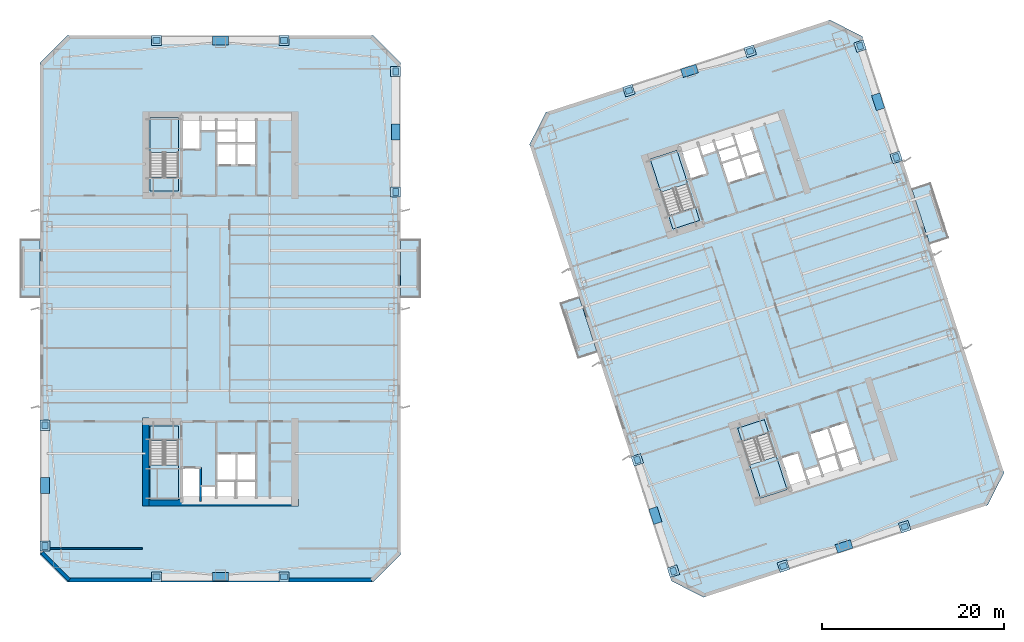
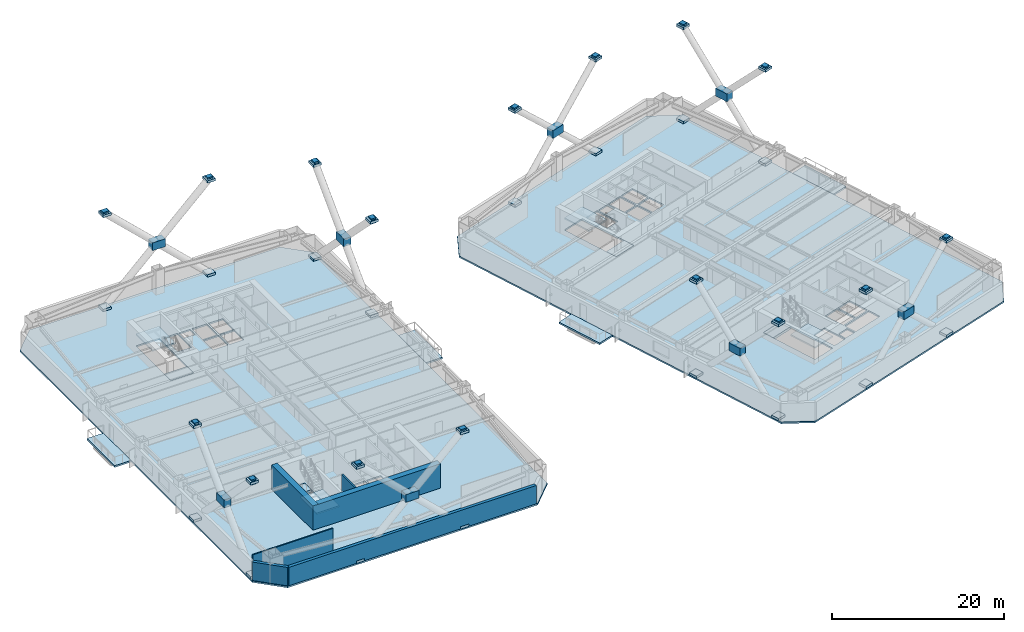
# One storey, part 3 of 18: 56 plates, 14 slabs, 6 walls, 4 elements without a shape of their own.
"""IFC4 building model written with IfcOpenShell, lengths in metres."""

from ifc_helpers import new_model, si_unit, direction, frame, frame_2d, origin, origin_2d, place, context, subcontext, project, spatial, polyline, rectangle, outline, extrude, material, layer, layer_set, type_object, element, aggregate, save


model = new_model("IFC4")

# Units and contexts
model_context = context("Model", 3, precision=1e-05, world=origin(), true_north=direction((0.0, 1.0)))
body_context = subcontext(model_context, "Body", "Model", "MODEL_VIEW")
ifc_project = project(units=[si_unit("LENGTHUNIT", "METRE"), si_unit("AREAUNIT", "SQUARE_METRE"), si_unit("VOLUMEUNIT", "CUBIC_METRE"), si_unit("PLANEANGLEUNIT", "RADIAN"), si_unit("MASSUNIT", "GRAM", prefix="KILO")], contexts=[model_context])

# Site, building, storey
site_placement = place(None, origin())
site = spatial("IfcSite", under=ifc_project, at=site_placement, CompositionType="ELEMENT")
building_placement = place(site_placement, origin())
building = spatial("IfcBuilding", under=site, at=building_placement, Name="Qiaolan Cultural Towers", CompositionType="ELEMENT")
storey_placement = place(building_placement, frame((0.0, 0.0, 57.5)))
storey = spatial("IfcBuildingStorey", under=building, at=storey_placement, Name="L13", CompositionType="ELEMENT", Elevation=57.5)

# Plates
ifc_material_1 = material(Name="Steel Q355B", Category="steel")
ifc_layer_1 = layer(ifc_material_1, 0.035888671875)
ifc_layer_set_1 = layer_set([ifc_layer_1], Name="Steel Q355B")
plate_type_1 = type_object("IfcPlateType", Name="PL-CONN-36", PredefinedType="USERDEFINED", material=ifc_layer_set_1)
for number, where, z_axis, x_axis, name in (
    (1, (10.75, 21.199951171875, 13.1298828125), (0.0, 0.0, 1.0), (0.0, 1.0, 0.0), "L13 Brace End Connection Gusset Plate GP-02-0220"),
    (2, (10.75, 7.949951171875, 13.1298828125), (0.0, 0.0, 1.0), (0.0, 1.0, 0.0), "L13 Brace End Connection Gusset Plate GP-02-0221"),
    (3, (49.25, 60.050048828125, 13.1298828125), (0.0, 0.0, 1.0), (0.0, 1.0, 0.0), "L13 Brace End Connection Gusset Plate GP-02-0222"),
    (4, (49.25, 46.800048828125, 13.1298828125), (0.0, 0.0, 1.0), (0.0, 1.0, 0.0), "L13 Brace End Connection Gusset Plate GP-02-0223"),
    (5, (37.0, 4.550048828125, 13.1298828125), (0.0, 0.0, 1.0), (1.0, 0.0, 0.0), "L13 Brace End Connection Gusset Plate GP-02-0224"),
    (6, (23.0, 4.550048828125, 13.1298828125), (0.0, 0.0, 1.0), (1.0, 0.0, 0.0), "L13 Brace End Connection Gusset Plate GP-02-0225"),
    (7, (37.0, 63.449951171875, 13.1298828125), (0.0, 0.0, 1.0), (1.0, 0.0, 0.0), "L13 Brace End Connection Gusset Plate GP-02-0226"),
    (8, (23.0, 63.449951171875, 13.1298828125), (0.0, 0.0, 1.0), (1.0, 0.0, 0.0), "L13 Brace End Connection Gusset Plate GP-02-0227"),
    (9, (75.78564453125, 17.394775390625, 13.1298828125), (0.0, 0.0, 1.0), (-0.309016977776, 0.951056521689, 0.0), "L13 Brace End Connection Gusset Plate GP-02-0444"),
    (10, (79.75634765625, 5.173828125, 13.1298828125), (0.0, 0.0, 1.0), (-0.309016977776, 0.951056521689, 0.0), "L13 Brace End Connection Gusset Plate GP-02-0445"),
    (11, (100.24365234375, 62.826171875, 13.1298828125), (0.0, 0.0, 1.0), (-0.309016977776, 0.951056521689, 0.0), "L13 Brace End Connection Gusset Plate GP-02-0446"),
    (12, (104.21435546875, 50.605224609375, 13.1298828125), (0.0, 0.0, 1.0), (-0.309016977776, 0.951056521689, 0.0), "L13 Brace End Connection Gusset Plate GP-02-0447"),
    (13, (105.139892578125, 10.056640625, 13.1298828125), (0.0, 0.0, 1.0), (0.951056510902, 0.309017010974, 0.0), "L13 Brace End Connection Gusset Plate GP-02-0448"),
    (14, (91.8251953125, 5.73046875, 13.1298828125), (0.0, 0.0, 1.0), (0.951056510902, 0.309017010974, 0.0), "L13 Brace End Connection Gusset Plate GP-02-0449"),
    (15, (88.1748046875, 62.26953125, 13.1298828125), (0.0, 0.0, 1.0), (0.951056510902, 0.309017010974, 0.0), "L13 Brace End Connection Gusset Plate GP-02-0450"),
    (16, (74.860107421875, 57.943359375, 13.1298828125), (0.0, 0.0, 1.0), (0.951056510902, 0.309017010974, 0.0), "L13 Brace End Connection Gusset Plate GP-02-0451"),
):
    element("IfcPlate", number, at=place(storey_placement, frame(where, z_axis=z_axis, x_axis=x_axis)), inside=storey, type_object=plate_type_1, Name=name, ObjectType="GUSSET_PLATE", PredefinedType="USERDEFINED", context=body_context, shape_type="SweptSolid", body=[
        extrude(rectangle(XDim=0.739990234375, YDim=0.6201171875, at=origin_2d()), origin(), (0.0, 0.0, 1.0), 0.739990234375),
    ])
ifc_material_2 = material(Name="Steel Q355B", Category="steel")
ifc_layer_2 = layer(ifc_material_2, 0.030029296875)
ifc_layer_set_2 = layer_set([ifc_layer_2], Name="Steel Q355B")
plate_type_2 = type_object("IfcPlateType", Name="PL-ENDCAP-30", PredefinedType="USERDEFINED", material=ifc_layer_set_2)
for number, where, z_axis, x_axis, name in (
    (17, (10.75, 7.949951171875, -0.025146484375), (0.0, 0.0, 1.0), (0.0, 1.0, 0.0), "Hollow Brace End Seal Cap Plate CP-01"),
    (18, (10.75, 21.199951171875, -0.025146484375), (0.0, 0.0, 1.0), (0.0, 1.0, 0.0), "Hollow Brace End Seal Cap Plate CP-01"),
    (19, (10.75, 7.949951171875, 13.324951171875), (0.0, 0.0, 1.0), (0.0, 1.0, 0.0), "Hollow Brace End Seal Cap Plate CP-01"),
    (20, (10.75, 21.199951171875, 13.324951171875), (0.0, 0.0, 1.0), (0.0, 1.0, 0.0), "Hollow Brace End Seal Cap Plate CP-01"),
    (21, (49.25, 46.800048828125, -0.025146484375), (0.0, 0.0, 1.0), (0.0, 1.0, 0.0), "Hollow Brace End Seal Cap Plate CP-01"),
    (22, (49.25, 60.050048828125, -0.025146484375), (0.0, 0.0, 1.0), (0.0, 1.0, 0.0), "Hollow Brace End Seal Cap Plate CP-01"),
    (23, (49.25, 46.800048828125, 13.324951171875), (0.0, 0.0, 1.0), (0.0, 1.0, 0.0), "Hollow Brace End Seal Cap Plate CP-01"),
    (24, (49.25, 60.050048828125, 13.324951171875), (0.0, 0.0, 1.0), (0.0, 1.0, 0.0), "Hollow Brace End Seal Cap Plate CP-01"),
    (25, (23.0, 4.550048828125, -0.025146484375), (0.0, 0.0, 1.0), (1.0, 0.0, 0.0), "Hollow Brace End Seal Cap Plate CP-01"),
    (26, (37.0, 4.550048828125, -0.025146484375), (0.0, 0.0, 1.0), (1.0, 0.0, 0.0), "Hollow Brace End Seal Cap Plate CP-01"),
    (27, (23.0, 4.550048828125, 13.324951171875), (0.0, 0.0, 1.0), (1.0, 0.0, 0.0), "Hollow Brace End Seal Cap Plate CP-01"),
    (28, (37.0, 4.550048828125, 13.324951171875), (0.0, 0.0, 1.0), (1.0, 0.0, 0.0), "Hollow Brace End Seal Cap Plate CP-01"),
    (29, (23.0, 63.449951171875, -0.025146484375), (0.0, 0.0, 1.0), (1.0, 0.0, 0.0), "Hollow Brace End Seal Cap Plate CP-01"),
    (30, (37.0, 63.449951171875, -0.025146484375), (0.0, 0.0, 1.0), (1.0, 0.0, 0.0), "Hollow Brace End Seal Cap Plate CP-01"),
    (31, (23.0, 63.449951171875, 13.324951171875), (0.0, 0.0, 1.0), (1.0, 0.0, 0.0), "Hollow Brace End Seal Cap Plate CP-01"),
    (32, (37.0, 63.449951171875, 13.324951171875), (0.0, 0.0, 1.0), (1.0, 0.0, 0.0), "Hollow Brace End Seal Cap Plate CP-01"),
    (33, (79.75634765625, 5.173828125, -0.025146484375), (0.0, 0.0, 1.0), (-0.309016994375, 0.951056516295, 0.0), "Hollow Brace End Seal Cap Plate CP-01"),
    (34, (75.78564453125, 17.394775390625, -0.025146484375), (0.0, 0.0, 1.0), (-0.309016994375, 0.951056516295, 0.0), "Hollow Brace End Seal Cap Plate CP-01"),
    (35, (79.75634765625, 5.173828125, 13.324951171875), (0.0, 0.0, 1.0), (-0.309016994375, 0.951056516295, 0.0), "Hollow Brace End Seal Cap Plate CP-01"),
    (36, (75.78564453125, 17.394775390625, 13.324951171875), (0.0, 0.0, 1.0), (-0.309016994375, 0.951056516295, 0.0), "Hollow Brace End Seal Cap Plate CP-01"),
    (37, (104.21435546875, 50.605224609375, -0.025146484375), (0.0, 0.0, 1.0), (-0.309016994375, 0.951056516295, 0.0), "Hollow Brace End Seal Cap Plate CP-01"),
    (38, (100.24365234375, 62.826171875, -0.025146484375), (0.0, 0.0, 1.0), (-0.309016994375, 0.951056516295, 0.0), "Hollow Brace End Seal Cap Plate CP-01"),
    (39, (104.21435546875, 50.605224609375, 13.324951171875), (0.0, 0.0, 1.0), (-0.309016994375, 0.951056516295, 0.0), "Hollow Brace End Seal Cap Plate CP-01"),
    (40, (100.24365234375, 62.826171875, 13.324951171875), (0.0, 0.0, 1.0), (-0.309016994375, 0.951056516295, 0.0), "Hollow Brace End Seal Cap Plate CP-01"),
    (41, (91.8251953125, 5.73046875, -0.025146484375), (0.0, 0.0, 1.0), (0.951056516295, 0.309016994375, 0.0), "Hollow Brace End Seal Cap Plate CP-01"),
    (42, (105.139892578125, 10.056640625, -0.025146484375), (0.0, 0.0, 1.0), (0.951056516295, 0.309016994375, 0.0), "Hollow Brace End Seal Cap Plate CP-01"),
    (43, (91.8251953125, 5.73046875, 13.324951171875), (0.0, 0.0, 1.0), (0.951056516295, 0.309016994375, 0.0), "Hollow Brace End Seal Cap Plate CP-01"),
    (44, (105.139892578125, 10.056640625, 13.324951171875), (0.0, 0.0, 1.0), (0.951056516295, 0.309016994375, 0.0), "Hollow Brace End Seal Cap Plate CP-01"),
    (45, (74.860107421875, 57.943359375, -0.025146484375), (0.0, 0.0, 1.0), (0.951056516295, 0.309016994375, 0.0), "Hollow Brace End Seal Cap Plate CP-01"),
    (46, (88.1748046875, 62.26953125, -0.025146484375), (0.0, 0.0, 1.0), (0.951056516295, 0.309016994375, 0.0), "Hollow Brace End Seal Cap Plate CP-01"),
    (47, (74.860107421875, 57.943359375, 13.324951171875), (0.0, 0.0, 1.0), (0.951056516295, 0.309016994375, 0.0), "Hollow Brace End Seal Cap Plate CP-01"),
    (48, (88.1748046875, 62.26953125, 13.324951171875), (0.0, 0.0, 1.0), (0.951056516295, 0.309016994375, 0.0), "Hollow Brace End Seal Cap Plate CP-01"),
):
    element("IfcPlate", number, at=place(storey_placement, frame(where, z_axis=z_axis, x_axis=x_axis)), inside=storey, type_object=plate_type_2, Name=name, ObjectType="BASE_PLATE", PredefinedType="USERDEFINED", context=body_context, shape_type="SweptSolid", body=[
        extrude(rectangle(XDim=1.10009765625, YDim=1.10009765625, at=origin_2d()), origin(), (0.0, 0.0, 1.0), 0.35009765625),
    ])
ifc_material_3 = material(Name="Steel Q390GJB", Category="steel")
ifc_layer_3 = layer(ifc_material_3, 0.0419921875)
ifc_layer_set_3 = layer_set([ifc_layer_3], Name="Steel Q390GJB")
plate_type_3 = type_object("IfcPlateType", Name="PL-NODE-ND01", PredefinedType="USERDEFINED", material=ifc_layer_set_3)
plate_1_placement = place(storey_placement, frame((30.0, 63.449951171875, 6.27490234375), z_axis=(0.0, 0.0, 1.0), x_axis=(1.0, 0.0, 0.0)))
element("IfcPlate", 49, at=plate_1_placement, inside=storey, type_object=plate_type_3, Name="Perimeter Frame Gusset Node Assembly ND-01", ObjectType="GUSSET_PLATE", PredefinedType="USERDEFINED", context=body_context, shape_type="SweptSolid", body=[
    extrude(rectangle(XDim=1.760009765625, YDim=0.9599609375, at=origin_2d()), origin(), (0.0, 0.0, 1.0), 1.10009765625),
])
ifc_material_4 = material(Name="Steel Q390GJB", Category="steel")
ifc_layer_4 = layer(ifc_material_4, 0.0439453125)
ifc_layer_set_4 = layer_set([ifc_layer_4], Name="Steel Q390GJB")
plate_type_4 = type_object("IfcPlateType", Name="PL-NODE-ND06", PredefinedType="USERDEFINED", material=ifc_layer_set_4)
plate_2_placement = place(storey_placement, frame((77.77099609375, 11.2841796875, 6.27490234375), z_axis=(0.0, 0.0, 1.0), x_axis=(-0.309016994375, 0.951056516295, 0.0)))
element("IfcPlate", 50, at=plate_2_placement, inside=storey, type_object=plate_type_4, Name="Perimeter Frame Gusset Node Assembly ND-06", ObjectType="GUSSET_PLATE", PredefinedType="USERDEFINED", context=body_context, shape_type="SweptSolid", body=[
    extrude(rectangle(XDim=1.760009765625, YDim=0.9599609375, at=origin_2d()), origin(), (0.0, 0.0, 1.0), 1.10009765625),
])
ifc_material_5 = material(Name="Steel Q390GJB", Category="steel")
ifc_layer_5 = layer(ifc_material_5, 0.0458984375)
ifc_layer_set_5 = layer_set([ifc_layer_5], Name="Steel Q390GJB")
plate_type_5 = type_object("IfcPlateType", Name="PL-NODE-ND07", PredefinedType="USERDEFINED", material=ifc_layer_set_5)
plate_3_placement = place(storey_placement, frame((102.22900390625, 56.7158203125, 6.27490234375), z_axis=(0.0, 0.0, 1.0), x_axis=(-0.309016994375, 0.951056516295, 0.0)))
element("IfcPlate", 51, at=plate_3_placement, inside=storey, type_object=plate_type_5, Name="Perimeter Frame Gusset Node Assembly ND-07", ObjectType="GUSSET_PLATE", PredefinedType="USERDEFINED", context=body_context, shape_type="SweptSolid", body=[
    extrude(rectangle(XDim=1.760009765625, YDim=0.9599609375, at=origin_2d()), origin(), (0.0, 0.0, 1.0), 1.10009765625),
])
ifc_material_6 = material(Name="Steel Q390GJB", Category="steel")
ifc_layer_6 = layer(ifc_material_6, 0.0400390625)
ifc_layer_set_6 = layer_set([ifc_layer_6], Name="Steel Q390GJB")
plate_type_6 = type_object("IfcPlateType", Name="PL-NODE-ND08", PredefinedType="USERDEFINED", material=ifc_layer_set_6)
plate_4_placement = place(storey_placement, frame((98.482421875, 7.8935546875, 6.27490234375), z_axis=(0.0, 0.0, 1.0), x_axis=(0.951056516295, 0.309016994375, 0.0)))
element("IfcPlate", 52, at=plate_4_placement, inside=storey, type_object=plate_type_6, Name="Perimeter Frame Gusset Node Assembly ND-08", ObjectType="GUSSET_PLATE", PredefinedType="USERDEFINED", context=body_context, shape_type="SweptSolid", body=[
    extrude(rectangle(XDim=1.760009765625, YDim=0.9599609375, at=origin_2d()), origin(), (0.0, 0.0, 1.0), 1.10009765625),
])
ifc_material_7 = material(Name="Steel Q390GJB", Category="steel")
ifc_layer_7 = layer(ifc_material_7, 0.0419921875)
ifc_layer_set_7 = layer_set([ifc_layer_7], Name="Steel Q390GJB")
plate_type_7 = type_object("IfcPlateType", Name="PL-NODE-ND09", PredefinedType="USERDEFINED", material=ifc_layer_set_7)
plate_5_placement = place(storey_placement, frame((81.517578125, 60.1064453125, 6.27490234375), z_axis=(0.0, 0.0, 1.0), x_axis=(0.951056516295, 0.309016994375, 0.0)))
element("IfcPlate", 53, at=plate_5_placement, inside=storey, type_object=plate_type_7, Name="Perimeter Frame Gusset Node Assembly ND-09", ObjectType="GUSSET_PLATE", PredefinedType="USERDEFINED", context=body_context, shape_type="SweptSolid", body=[
    extrude(rectangle(XDim=1.760009765625, YDim=0.9599609375, at=origin_2d()), origin(), (0.0, 0.0, 1.0), 1.10009765625),
])
ifc_material_8 = material(Name="Steel Q390GJB", Category="steel")
ifc_layer_8 = layer(ifc_material_8, 0.0439453125)
ifc_layer_set_8 = layer_set([ifc_layer_8], Name="Steel Q390GJB")
plate_type_8 = type_object("IfcPlateType", Name="PL-NODE-ND10", PredefinedType="USERDEFINED", material=ifc_layer_set_8)
plate_6_placement = place(storey_placement, frame((10.75, 14.574951171875, 6.27490234375), z_axis=(0.0, 0.0, 1.0), x_axis=(0.0, 1.0, 0.0)))
element("IfcPlate", 54, at=plate_6_placement, inside=storey, type_object=plate_type_8, Name="Perimeter Frame Gusset Node Assembly ND-10", ObjectType="GUSSET_PLATE", PredefinedType="USERDEFINED", context=body_context, shape_type="SweptSolid", body=[
    extrude(rectangle(XDim=1.760009765625, YDim=0.9599609375, at=origin_2d()), origin(), (0.0, 0.0, 1.0), 1.10009765625),
])
ifc_material_9 = material(Name="Steel Q390GJB", Category="steel")
ifc_layer_9 = layer(ifc_material_9, 0.0458984375)
ifc_layer_set_9 = layer_set([ifc_layer_9], Name="Steel Q390GJB")
plate_type_9 = type_object("IfcPlateType", Name="PL-NODE-ND11", PredefinedType="USERDEFINED", material=ifc_layer_set_9)
plate_7_placement = place(storey_placement, frame((49.25, 53.425048828125, 6.27490234375), z_axis=(0.0, 0.0, 1.0), x_axis=(0.0, 1.0, 0.0)))
element("IfcPlate", 55, at=plate_7_placement, inside=storey, type_object=plate_type_9, Name="Perimeter Frame Gusset Node Assembly ND-11", ObjectType="GUSSET_PLATE", PredefinedType="USERDEFINED", context=body_context, shape_type="SweptSolid", body=[
    extrude(rectangle(XDim=1.760009765625, YDim=0.9599609375, at=origin_2d()), origin(), (0.0, 0.0, 1.0), 1.10009765625),
])
ifc_material_10 = material(Name="Steel Q390GJB", Category="steel")
ifc_layer_10 = layer(ifc_material_10, 0.0400390625)
ifc_layer_set_10 = layer_set([ifc_layer_10], Name="Steel Q390GJB")
plate_type_10 = type_object("IfcPlateType", Name="PL-NODE-ND12", PredefinedType="USERDEFINED", material=ifc_layer_set_10)
plate_8_placement = place(storey_placement, frame((30.0, 4.550048828125, 6.27490234375), z_axis=(0.0, 0.0, 1.0), x_axis=(1.0, 0.0, 0.0)))
element("IfcPlate", 56, at=plate_8_placement, inside=storey, type_object=plate_type_10, Name="Perimeter Frame Gusset Node Assembly ND-12", ObjectType="GUSSET_PLATE", PredefinedType="USERDEFINED", context=body_context, shape_type="SweptSolid", body=[
    extrude(rectangle(XDim=1.760009765625, YDim=0.9599609375, at=origin_2d()), origin(), (0.0, 0.0, 1.0), 1.10009765625),
])

# Slabs
ifc_material_11 = material(Name="Concrete C45", Category="concrete")
ifc_layer_11 = layer(ifc_material_11, 0.239990234375)
ifc_layer_set_11 = layer_set([ifc_layer_11], Name="Concrete C45")
slab_type_1 = type_object("IfcSlabType", Name="SL-BAL-240", PredefinedType="FLOOR", material=ifc_layer_set_11)
slab_1_placement = place(storey_placement, frame((0.0, 0.0, -0.239990234375)))
element("IfcSlab", 57, at=slab_1_placement, inside=storey, type_object=slab_type_1, Name="L13 T1 Planted Tree Balcony W", PredefinedType="FLOOR", context=body_context, shape_type="SweptSolid", body=[
    extrude(outline(polyline([(8.0, 35.199951171875), (10.199951171875, 35.199951171875), (10.199951171875, 41.60009765625), (8.0, 41.60009765625), (8.0, 35.199951171875)])), origin(), (0.0, 0.0, 1.0), 0.239990234375),
])
slab_2_placement = place(storey_placement, frame((0.0, 0.0, -0.239990234375)))
element("IfcSlab", 58, at=slab_2_placement, inside=storey, type_object=slab_type_1, Name="L13 T1 Planted Tree Balcony E", PredefinedType="FLOOR", context=body_context, shape_type="SweptSolid", body=[
    extrude(outline(polyline([(49.800048828125, 35.199951171875), (52.0, 35.199951171875), (52.0, 41.60009765625), (49.800048828125, 41.60009765625), (49.800048828125, 35.199951171875)])), origin(), (0.0, 0.0, 1.0), 0.239990234375),
])
slab_3_placement = place(storey_placement, frame((0.0, 0.0, -0.239990234375)))
element("IfcSlab", 59, at=slab_3_placement, inside=storey, type_object=slab_type_1, Name="L13 T2 Planted Tree Balcony W", PredefinedType="FLOOR", context=body_context, shape_type="SweptSolid", body=[
    extrude(outline(polyline([(69.276611328125, 28.5283203125), (71.368896484375, 29.208251953125), (69.39111328125, 35.294921875), (67.298828125, 34.614990234375), (69.276611328125, 28.5283203125)])), origin(), (0.0, 0.0, 1.0), 0.239990234375),
])
slab_4_placement = place(storey_placement, frame((0.0, 0.0, -0.239990234375)))
element("IfcSlab", 60, at=slab_4_placement, inside=storey, type_object=slab_type_1, Name="L13 T2 Planted Tree Balcony E", PredefinedType="FLOOR", context=body_context, shape_type="SweptSolid", body=[
    extrude(outline(polyline([(107.889404296875, 41.074462890625), (109.981689453125, 41.754150390625), (108.004150390625, 47.841064453125), (105.911865234375, 47.1611328125), (107.889404296875, 41.074462890625)])), origin(), (0.0, 0.0, 1.0), 0.239990234375),
])

# Stair, slab
ifc_material_12 = material(Name="Concrete C45", Category="concrete")
stair_type = type_object("IfcStairType", Name="STR-CORE-1500", PredefinedType="HALF_TURN_STAIR", material=ifc_material_12)
stair_1_placement = place(storey_placement, origin())
stair_1 = element("IfcStair", 61, at=stair_1_placement, inside=storey, type_object=stair_type, Name="L13 Smokeproof Exit Stair ST-W1", PredefinedType="HALF_TURN_STAIR")
ifc_material_13 = material(Name="Concrete C45", Category="concrete")
ifc_layer_12 = layer(ifc_material_13, 0.199951171875)
ifc_layer_set_12 = layer_set([ifc_layer_12], Name="Concrete C45")
slab_type_2 = type_object("IfcSlabType", Name="SL-STAIR-LAND", PredefinedType="LANDING", material=ifc_layer_set_12)
slab_5_placement = place(storey_placement, frame((0.0, 0.0, 1.52490234375)))
slab_5 = element("IfcSlab", 62, at=slab_5_placement, type_object=slab_type_2, Name="ST-W1 landing 1", PredefinedType="LANDING", context=body_context, shape_type="SweptSolid", body=[
    extrude(outline(polyline([(22.300048828125, 16.851318359375), (22.300048828125, 13.0), (25.3798828125, 13.0), (25.3798828125, 16.851318359375), (22.300048828125, 16.851318359375)])), origin(), (0.0, 0.0, 1.0), 0.2001953125),
])
aggregate(stair_1, [slab_5])

stair_2_placement = place(storey_placement, origin())
stair_2 = element("IfcStair", 63, at=stair_2_placement, inside=storey, type_object=stair_type, Name="L13 Smokeproof Exit Stair ST-W2", PredefinedType="HALF_TURN_STAIR")
slab_6_placement = place(storey_placement, frame((0.0, 0.0, 1.52490234375)))
slab_6 = element("IfcSlab", 64, at=slab_6_placement, type_object=slab_type_2, Name="ST-W2 landing 1", PredefinedType="LANDING", context=body_context, shape_type="SweptSolid", body=[
    extrude(outline(polyline([(25.3798828125, 51.148681640625), (25.3798828125, 55.0), (22.300048828125, 55.0), (22.300048828125, 51.148681640625), (25.3798828125, 51.148681640625)])), origin(), (0.0, 0.0, 1.0), 0.2001953125),
])
aggregate(stair_2, [slab_6])

stair_3_placement = place(storey_placement, origin())
stair_3 = element("IfcStair", 65, at=stair_3_placement, inside=storey, type_object=stair_type, Name="L13 Smokeproof Exit Stair ST-E1", PredefinedType="HALF_TURN_STAIR")
slab_7_placement = place(storey_placement, frame((0.0, 0.0, 1.52490234375)))
slab_7 = element("IfcSlab", 66, at=slab_7_placement, type_object=slab_type_2, Name="ST-E1 landing 1", PredefinedType="LANDING", context=body_context, shape_type="SweptSolid", body=[
    extrude(outline(polyline([(88.114013671875, 16.828125), (89.30419921875, 13.165283203125), (92.2333984375, 14.116943359375), (91.04345703125, 17.77978515625), (88.114013671875, 16.828125)])), origin(), (0.0, 0.0, 1.0), 0.2001953125),
])
aggregate(stair_3, [slab_7])

stair_4_placement = place(storey_placement, origin())
stair_4 = element("IfcStair", 67, at=stair_4_placement, inside=storey, type_object=stair_type, Name="L13 Smokeproof Exit Stair ST-E2", PredefinedType="HALF_TURN_STAIR")
slab_8_placement = place(storey_placement, frame((0.0, 0.0, 1.52490234375)))
slab_8 = element("IfcSlab", 68, at=slab_8_placement, type_object=slab_type_2, Name="ST-E2 landing 1", PredefinedType="LANDING", context=body_context, shape_type="SweptSolid", body=[
    extrude(outline(polyline([(81.31005859375, 47.735595703125), (80.1201171875, 51.3984375), (77.190673828125, 50.44677734375), (78.380859375, 46.783935546875), (81.31005859375, 47.735595703125)])), origin(), (0.0, 0.0, 1.0), 0.2001953125),
])
aggregate(stair_4, [slab_8])

# Slabs
ifc_material_14 = material(Name="Concrete C40", Category="concrete")
ifc_layer_13 = layer(ifc_material_14, 0.360107421875)
ifc_layer_set_13 = layer_set([ifc_layer_13], Name="Concrete C40")
slab_type_3 = type_object("IfcSlabType", Name="SL-STFLR-360", PredefinedType="LANDING", material=ifc_layer_set_13)
slab_9_placement = place(storey_placement, frame((0.0, 0.0, -0.360107421875)))
element("IfcSlab", 69, at=slab_9_placement, inside=storey, type_object=slab_type_3, Name="L13 ST-W1 Stair Floor Landing Slab", PredefinedType="LANDING", context=body_context, shape_type="SweptSolid", body=[
    extrude(outline(polyline([(22.302001953125, 21.097900390625), (22.302001953125, 19.548583984375), (25.3779296875, 19.548583984375), (25.3779296875, 21.097900390625), (22.302001953125, 21.097900390625)])), origin(), (0.0, 0.0, 1.0), 0.360107421875),
])
slab_10_placement = place(storey_placement, frame((0.0, 0.0, -0.360107421875)))
element("IfcSlab", 70, at=slab_10_placement, inside=storey, type_object=slab_type_3, Name="L13 ST-W2 Stair Floor Landing Slab", PredefinedType="LANDING", context=body_context, shape_type="SweptSolid", body=[
    extrude(outline(polyline([(25.3779296875, 46.902099609375), (25.3779296875, 48.451416015625), (22.302001953125, 48.451416015625), (22.302001953125, 46.902099609375), (25.3779296875, 46.902099609375)])), origin(), (0.0, 0.0, 1.0), 0.360107421875),
])
slab_11_placement = place(storey_placement, frame((0.0, 0.0, -0.360107421875)))
element("IfcSlab", 71, at=slab_11_placement, inside=storey, type_object=slab_type_3, Name="L13 ST-E1 Stair Floor Landing Slab", PredefinedType="LANDING", context=body_context, shape_type="SweptSolid", body=[
    extrude(outline(polyline([(86.8037109375, 20.867431640625), (87.282470703125, 19.39404296875), (90.2080078125, 20.3447265625), (89.729248046875, 21.818115234375), (86.8037109375, 20.867431640625)])), origin(), (0.0, 0.0, 1.0), 0.360107421875),
])
slab_12_placement = place(storey_placement, frame((0.0, 0.0, -0.360107421875)))
element("IfcSlab", 72, at=slab_12_placement, inside=storey, type_object=slab_type_3, Name="L13 ST-E2 Stair Floor Landing Slab", PredefinedType="LANDING", context=body_context, shape_type="SweptSolid", body=[
    extrude(outline(polyline([(82.62060546875, 43.6962890625), (82.141845703125, 45.169677734375), (79.21630859375, 44.21923828125), (79.695068359375, 42.74560546875), (82.62060546875, 43.6962890625)])), origin(), (0.0, 0.0, 1.0), 0.360107421875),
])
ifc_material_15 = material(Name="Concrete C45", Category="concrete")
ifc_layer_14 = layer(ifc_material_15, 0.219970703125)
ifc_layer_set_14 = layer_set([ifc_layer_14], Name="Concrete C45")
slab_type_4 = type_object("IfcSlabType", Name="SL-TYP-220", PredefinedType="FLOOR", material=ifc_layer_set_14)
slab_13_placement = place(storey_placement, frame((0.0, 0.0, -0.219970703125)))
element("IfcSlab", 73, at=slab_13_placement, inside=storey, type_object=slab_type_4, Name="L13 West Tower Floor Slab", PredefinedType="FLOOR", context=body_context, shape_type="SweptSolid", body=[
    extrude(outline(polyline([(13.199951171875, 4.0), (46.800048828125, 4.0), (49.800048828125, 7.0), (49.800048828125, 61.0), (46.800048828125, 64.0), (13.199951171875, 64.0), (10.199951171875, 61.0), (10.199951171875, 7.0), (13.199951171875, 4.0)]), holes=[polyline([(22.300048828125, 21.10009765625), (22.300048828125, 13.0), (25.3798828125, 13.0), (25.3798828125, 21.10009765625), (22.300048828125, 21.10009765625)]), polyline([(25.3798828125, 46.89990234375), (25.3798828125, 55.0), (22.300048828125, 55.0), (22.300048828125, 46.89990234375), (25.3798828125, 46.89990234375)]), polyline([(25.89990234375, 13.199951171875), (27.75, 13.199951171875), (27.75, 16.449951171875), (25.89990234375, 16.449951171875), (25.89990234375, 13.199951171875)]), polyline([(27.93994140625, 13.25), (29.449951171875, 13.25), (29.449951171875, 14.419921875), (27.93994140625, 14.419921875), (27.93994140625, 13.25)]), polyline([(29.679931640625, 15.199951171875), (31.679931640625, 15.199951171875), (31.679931640625, 18.0), (29.679931640625, 18.0), (29.679931640625, 15.199951171875)]), polyline([(31.8798828125, 15.199951171875), (33.820068359375, 15.199951171875), (33.820068359375, 18.0), (31.8798828125, 18.0), (31.8798828125, 15.199951171875)]), polyline([(29.679931640625, 13.25), (33.820068359375, 13.25), (33.820068359375, 14.97998046875), (29.679931640625, 14.97998046875), (29.679931640625, 13.25)]), polyline([(25.89990234375, 51.550048828125), (27.75, 51.550048828125), (27.75, 54.800048828125), (25.89990234375, 54.800048828125), (25.89990234375, 51.550048828125)]), polyline([(27.93994140625, 53.580078125), (29.449951171875, 53.580078125), (29.449951171875, 54.75), (27.93994140625, 54.75), (27.93994140625, 53.580078125)]), polyline([(29.679931640625, 49.820068359375), (31.679931640625, 49.820068359375), (31.679931640625, 52.080078125), (29.679931640625, 52.080078125), (29.679931640625, 49.820068359375)]), polyline([(31.8798828125, 49.820068359375), (33.820068359375, 49.820068359375), (33.820068359375, 52.080078125), (31.8798828125, 52.080078125), (31.8798828125, 49.820068359375)]), polyline([(29.679931640625, 52.27001953125), (31.659912109375, 52.27001953125), (31.659912109375, 54.75), (29.679931640625, 54.75), (29.679931640625, 52.27001953125)]), polyline([(31.8798828125, 52.27001953125), (33.820068359375, 52.27001953125), (33.820068359375, 54.75), (31.8798828125, 54.75), (31.8798828125, 52.27001953125)])]), origin(), (0.0, 0.0, 1.0), 0.219970703125),
])
slab_14_placement = place(storey_placement, frame((0.0, 0.0, -0.219970703125)))
element("IfcSlab", 74, at=slab_14_placement, inside=storey, type_object=slab_type_4, Name="L13 East Tower Floor Slab", PredefinedType="FLOOR", context=body_context, shape_type="SweptSolid", body=[
    extrude(outline(polyline([(83.05517578125, 2.302490234375), (114.249755859375, 12.438232421875), (116.047607421875, 15.966552734375), (100.47314453125, 63.899658203125), (96.94482421875, 65.697509765625), (65.750244140625, 55.561767578125), (63.952392578125, 52.033447265625), (79.52685546875, 4.100341796875), (83.05517578125, 2.302490234375)]), holes=[polyline([(86.80126953125, 20.868896484375), (89.30419921875, 13.165283203125), (92.2333984375, 14.116943359375), (89.73046875, 21.820556640625), (86.80126953125, 20.868896484375)]), polyline([(82.623046875, 43.69482421875), (80.1201171875, 51.3984375), (77.190673828125, 50.44677734375), (79.69384765625, 42.7431640625), (82.623046875, 43.69482421875)]), polyline([(92.666259765625, 14.468017578125), (94.42578125, 15.03955078125), (93.42138671875, 18.130615234375), (91.661865234375, 17.558837890625), (92.666259765625, 14.468017578125)]), polyline([(94.5908203125, 15.14599609375), (96.027099609375, 15.612548828125), (95.66552734375, 16.725341796875), (94.2294921875, 16.258544921875), (94.5908203125, 15.14599609375)]), polyline([(95.643310546875, 17.5380859375), (97.54541015625, 18.15625), (96.68017578125, 20.819091796875), (94.77783203125, 20.201171875), (95.643310546875, 17.5380859375)]), polyline([(97.735595703125, 18.218017578125), (99.58056640625, 18.8173828125), (98.71533203125, 21.48046875), (96.870361328125, 20.880859375), (97.735595703125, 18.218017578125)]), polyline([(96.245849609375, 15.68359375), (100.18310546875, 16.962890625), (99.6484375, 18.608154296875), (95.711181640625, 17.328857421875), (96.245849609375, 15.68359375)]), polyline([(81.6806640625, 48.278076171875), (83.440185546875, 48.849609375), (82.435791015625, 51.940673828125), (80.67626953125, 51.368896484375), (81.6806640625, 48.278076171875)]), polyline([(82.993408203125, 50.839111328125), (84.4296875, 51.3056640625), (84.068115234375, 52.41845703125), (82.632080078125, 51.95166015625), (82.993408203125, 50.839111328125)]), polyline([(85.810302734375, 47.80078125), (87.71240234375, 48.418701171875), (87.013916015625, 50.568115234375), (85.11181640625, 49.9501953125), (85.810302734375, 47.80078125)]), polyline([(87.902587890625, 48.480712890625), (89.74755859375, 49.080078125), (89.04931640625, 51.2294921875), (87.2041015625, 50.6298828125), (87.902587890625, 48.480712890625)]), polyline([(85.05322265625, 50.130859375), (86.936279296875, 50.74267578125), (86.169921875, 53.101318359375), (84.286865234375, 52.489501953125), (85.05322265625, 50.130859375)]), polyline([(87.1455078125, 50.810791015625), (88.990478515625, 51.41015625), (88.22412109375, 53.768798828125), (86.379150390625, 53.169189453125), (87.1455078125, 50.810791015625)])]), origin(), (0.0, 0.0, 1.0), 0.219970703125),
])

# Walls
ifc_material_16 = material(Name="Concrete C60", Category="concrete")
ifc_layer_15 = layer(ifc_material_16, 0.75)
ifc_layer_set_15 = layer_set([ifc_layer_15], Name="Concrete C60")
wall_type_1 = type_object("IfcWallType", Name="WL-CORE-750", PredefinedType="SHEAR", material=ifc_layer_set_15)
wall_1_placement = place(storey_placement, frame((21.425048828125, 12.719970703125, 0.0), z_axis=(0.0, 0.0, 1.0), x_axis=(1.0, 0.0, 0.0)))
element("IfcWall", 75, at=wall_1_placement, inside=storey, type_object=wall_type_1, Name="L13 T1-CS Outer Core Shear Wall", PredefinedType="SHEAR", context=body_context, shape_type="SweptSolid", body=[
    extrude(rectangle(XDim=17.14990234375, YDim=0.75, at=frame_2d((8.574951171875, 0.0))), origin(), (0.0, 0.0, 1.0), 3.449951171875),
])
wall_2_placement = place(storey_placement, frame((21.800048828125, 21.97509765625, 0.0), z_axis=(0.0, 0.0, 1.0), x_axis=(0.0, -1.0, 0.0)))
element("IfcWall", 76, at=wall_2_placement, inside=storey, type_object=wall_type_1, Name="L13 T1-CS West Core Shear Wall", PredefinedType="SHEAR", context=body_context, shape_type="SweptSolid", body=[
    extrude(rectangle(XDim=9.630126953125, YDim=0.75, at=frame_2d((4.81494140625, 0.0))), origin(), (0.0, 0.0, 1.0), 3.449951171875),
])
ifc_material_17 = material(Name="Precast Concrete C50 Honed Stone Pier", Category="masonry")
ifc_layer_16 = layer(ifc_material_17, 0.39990234375)
ifc_layer_set_16 = layer_set([ifc_layer_16], Name="Precast Concrete C50 Honed Stone Pier")
wall_type_2 = type_object("IfcWallType", Name="WL-EXT-PIER-400", PredefinedType="SOLIDWALL", material=ifc_layer_set_16)
wall_3_placement = place(storey_placement, frame((46.60009765625, 4.199951171875, 0.0), z_axis=(0.0, 0.0, 1.0), x_axis=(-1.0, 0.0, 0.0)))
element("IfcWall", 77, at=wall_3_placement, inside=storey, type_object=wall_type_2, Name="L13 West Tower Precast Pier Facade Wall F7", PredefinedType="SOLIDWALL", context=body_context, shape_type="SweptSolid", body=[
    extrude(rectangle(XDim=33.2001953125, YDim=0.39990234375, at=frame_2d((16.60009765625, 0.0))), origin(), (0.0, 0.0, 1.0), 2.610107421875),
])
wall_4_placement = place(storey_placement, frame((13.39990234375, 4.199951171875, 0.0), z_axis=(0.0, 0.0, 1.0), x_axis=(-0.707106781187, 0.707106781187, 0.0)))
element("IfcWall", 78, at=wall_4_placement, inside=storey, type_object=wall_type_2, Name="L13 West Tower Precast Pier Facade Wall F8", PredefinedType="SOLIDWALL", context=body_context, shape_type="SweptSolid", body=[
    extrude(rectangle(XDim=4.24267578125, YDim=0.39990234375, at=frame_2d((2.121337890625, 0.0))), origin(), (0.0, 0.0, 1.0), 2.610107421875),
])
ifc_material_18 = material(Name="Concrete C35 Fire Wall", Category="concrete")
ifc_layer_17 = layer(ifc_material_18, 0.199951171875)
ifc_layer_set_17 = layer_set([ifc_layer_17], Name="Concrete C35 Fire Wall")
wall_type_3 = type_object("IfcWallType", Name="WL-FIRE-200", PredefinedType="PARTITIONING", material=ifc_layer_set_17)
wall_5_placement = place(storey_placement, frame((27.820068359375, 16.550048828125, 0.0), z_axis=(0.0, 0.0, 1.0), x_axis=(0.0, -1.0, 0.0)))
element("IfcWall", 79, at=wall_5_placement, inside=storey, type_object=wall_type_3, Name="L13 T1-CS Firefighting Hoistway East Wall", PredefinedType="PARTITIONING", context=body_context, shape_type="SweptSolid", body=[
    extrude(rectangle(XDim=3.699951171875, YDim=0.199951171875, at=frame_2d((1.85009765625, 0.0))), origin(), (0.0, 0.0, 1.0), 3.175048828125),
])
ifc_material_19 = material(Name="Autoclaved Aerated Concrete Block B06", Category="concrete")
ifc_layer_18 = layer(ifc_material_19, 0.14990234375)
ifc_layer_set_18 = layer_set([ifc_layer_18], Name="Autoclaved Aerated Concrete Block B06")
wall_type_4 = type_object("IfcWallType", Name="WL-PART-150", PredefinedType="PARTITIONING", material=ifc_layer_set_18)
wall_6_placement = place(storey_placement, frame((10.60009765625, 7.64990234375, 0.0), z_axis=(0.0, 0.0, 1.0), x_axis=(1.0, 0.0, 0.0)))
element("IfcWall", 80, at=wall_6_placement, inside=storey, type_object=wall_type_4, Name="L13 T1 Flank Wall FLK-SW", PredefinedType="PARTITIONING", context=body_context, shape_type="SweptSolid", body=[
    extrude(rectangle(XDim=10.7998046875, YDim=0.14990234375, at=frame_2d((5.39990234375, 0.0))), origin(), (0.0, 0.0, 1.0), 3.175048828125),
])

save(model, "model.ifc")
